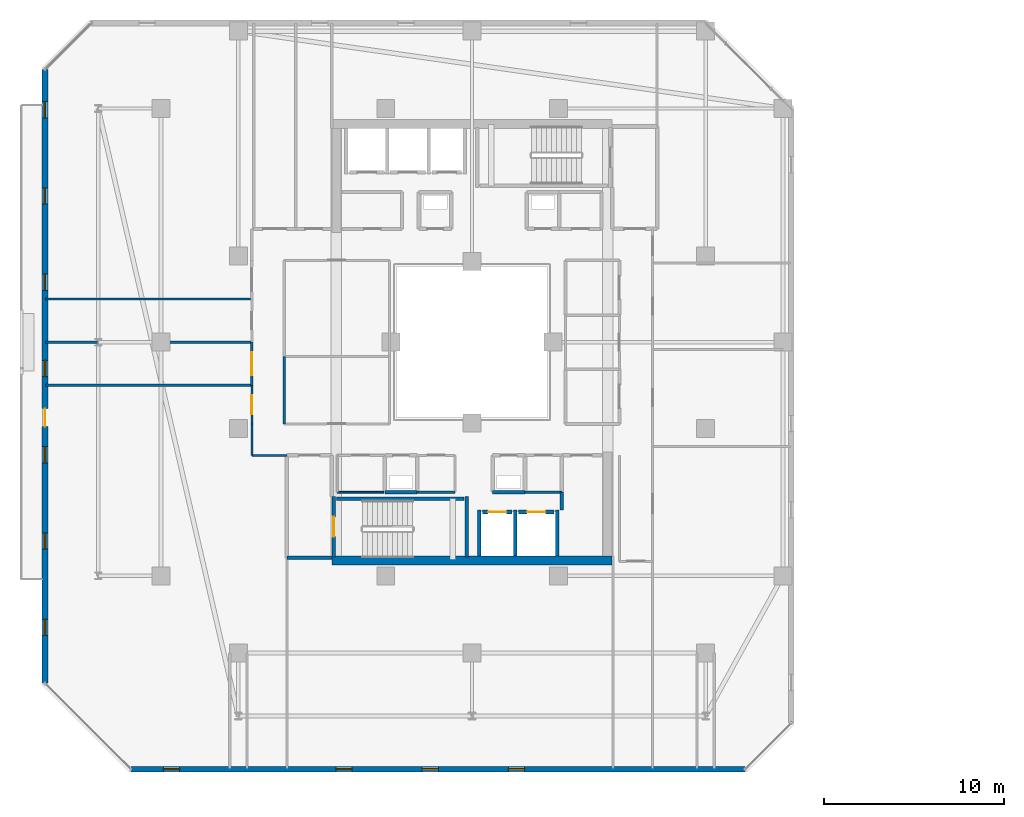
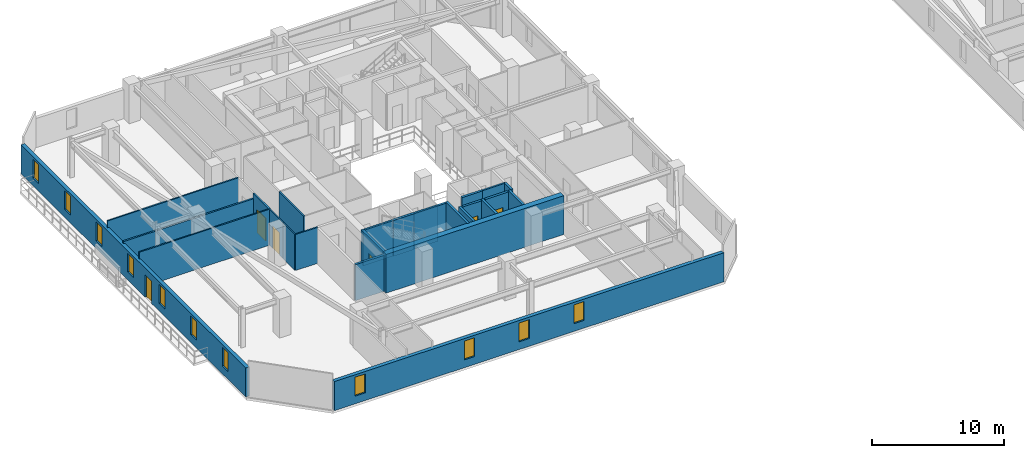
# One storey, part 18 of 32: 26 walls, 11 windows, 6 doors, 17 openings.
"""IFC4 building model written with IfcOpenShell, lengths in metres."""

from ifc_helpers import new_model, si_unit, direction, frame, frame_2d, origin, place, context, subcontext, project, spatial, rectangle, extrude, material, layer, layer_set, type_object, element, fill, save


model = new_model("IFC4")

# Units and contexts
model_context = context("Model", 3, precision=1e-05, world=origin(), true_north=direction((0.0, 1.0)))
body_context = subcontext(model_context, "Body", "Model", "MODEL_VIEW")
ifc_project = project(units=[si_unit("LENGTHUNIT", "METRE"), si_unit("AREAUNIT", "SQUARE_METRE"), si_unit("VOLUMEUNIT", "CUBIC_METRE"), si_unit("PLANEANGLEUNIT", "RADIAN"), si_unit("MASSUNIT", "GRAM", prefix="KILO")], contexts=[model_context])

# Site, building, storey
site_placement = place(None, origin())
site = spatial("IfcSite", under=ifc_project, at=site_placement, CompositionType="ELEMENT")
building_placement = place(site_placement, origin())
building = spatial("IfcBuilding", under=site, at=building_placement, Name="Thornwick Lancets Civic Towers", CompositionType="ELEMENT")
storey_placement = place(building_placement, frame((0.0, 0.0, 247.5)))
storey = spatial("IfcBuildingStorey", under=building, at=storey_placement, Name="L66", CompositionType="ELEMENT", Elevation=247.5)

# Wall, opening, door
ifc_material_1 = material(Name="Concrete blockwork C40/50", Category="masonry")
ifc_layer_1 = layer(ifc_material_1, 0.199951171875, Name="Concrete blockwork C40/50")
ifc_layer_set_1 = layer_set([ifc_layer_1], Name="Concrete blockwork C40/50")
wall_type_1 = type_object("IfcWallType", Name="WALL_COMP_200", PredefinedType="STANDARD", material=ifc_layer_set_1)
wall_1_placement = place(storey_placement, frame((26.080078125, 17.550048828125, 0.0), z_axis=(0.0, 0.0, 1.0), x_axis=(1.0, 0.0, 0.0)))
wall_1 = element("IfcWall", 1, at=wall_1_placement, inside=storey, type_object=wall_type_1, Name="L66 Hoistway Front Wall FL-A1", PredefinedType="STANDARD", context=body_context, shape_type="SweptSolid", body=[
    extrude(rectangle(XDim=1.639892578125, YDim=0.199951171875, at=frame_2d((0.81982421875, 0.0))), origin(), (0.0, 0.0, 1.0), 3.340087890625),
])
opening_1_placement = place(wall_1_placement, frame((0.31005859375, 0.0, 0.0)))
opening_1 = element("IfcOpeningElement", 2, at=opening_1_placement, cuts=wall_1, Name="Opening LD-FL-A1", PredefinedType="OPENING", context=body_context, shape_type="SweptSolid", body=[
    extrude(rectangle(XDim=1.02001953125, YDim=2.06005859375, at=frame_2d((0.510009765625, 1.030029296875))), frame((0.0, 0.10986328125, 0.0), z_axis=(0.0, -1.0, 0.0), x_axis=(1.0, 0.0, 0.0)), (0.0, 0.0, 1.0), 0.219970703125),
])
ifc_material_2 = material(Name="Brushed bronze stainless steel", Category="steel")
door_type_1 = type_object("IfcDoorType", Name="DOOR_LIFT_SLIDE", OperationType="SLIDING_TO_LEFT", PredefinedType="DOOR", material=ifc_material_2)
door_1_placement = place(opening_1_placement, origin())
door_1 = element("IfcDoor", 3, at=door_1_placement, inside=storey, type_object=door_type_1, Name="L66 Sliding Lift Landing Door LD-FL-A1", OperationType="SLIDING_TO_LEFT", OverallHeight=2.06005859375, OverallWidth=1.02001953125, PredefinedType="DOOR", context=body_context, shape_type="SweptSolid", body=[
    extrude(rectangle(XDim=1.02001953125, YDim=2.06005859375, at=frame_2d((0.510009765625, 1.030029296875))), frame((0.0, 0.02490234375, 0.0), z_axis=(0.0, -1.0, 0.0), x_axis=(1.0, 0.0, 0.0)), (0.0, 0.0, 1.0), 0.050048828125),
])
fill(opening_1, door_1)

wall_2_placement = place(storey_placement, frame((28.080078125, 17.550048828125, 0.0), z_axis=(0.0, 0.0, 1.0), x_axis=(1.0, 0.0, 0.0)))
wall_2 = element("IfcWall", 4, at=wall_2_placement, inside=storey, type_object=wall_type_1, Name="L66 Hoistway Front Wall PL-AH1", PredefinedType="STANDARD", context=body_context, shape_type="SweptSolid", body=[
    extrude(rectangle(XDim=1.989990234375, YDim=0.199951171875, at=frame_2d((0.9951171875, 0.0))), origin(), (0.0, 0.0, 1.0), 3.340087890625),
])
opening_2_placement = place(wall_2_placement, frame((0.485107421875, 0.0, 0.0)))
opening_2 = element("IfcOpeningElement", 5, at=opening_2_placement, cuts=wall_2, Name="Opening LD-PL-AH1", PredefinedType="OPENING", context=body_context, shape_type="SweptSolid", body=[
    extrude(rectangle(XDim=1.02001953125, YDim=2.06005859375, at=frame_2d((0.510009765625, 1.030029296875))), frame((0.0, 0.10986328125, 0.0), z_axis=(0.0, -1.0, 0.0), x_axis=(1.0, 0.0, 0.0)), (0.0, 0.0, 1.0), 0.219970703125),
])
door_2_placement = place(opening_2_placement, origin())
door_2 = element("IfcDoor", 6, at=door_2_placement, inside=storey, type_object=door_type_1, Name="L66 Sliding Lift Landing Door LD-PL-AH1", OperationType="SLIDING_TO_LEFT", OverallHeight=2.06005859375, OverallWidth=1.02001953125, PredefinedType="DOOR", context=body_context, shape_type="SweptSolid", body=[
    extrude(rectangle(XDim=1.02001953125, YDim=2.06005859375, at=frame_2d((0.510009765625, 1.030029296875))), frame((0.0, 0.02490234375, 0.0), z_axis=(0.0, -1.0, 0.0), x_axis=(1.0, 0.0, 0.0)), (0.0, 0.0, 1.0), 0.050048828125),
])
fill(opening_2, door_2)

# Walls
for number, where, z_axis, x_axis, name in (
    (7, (27.89990234375, 15.112060546875, 0.0), (0.0, 0.0, 1.0), (0.0, 1.0, 0.0), "L66 Hoistway Shaft Wall FL-A1 E"),
    (8, (25.89990234375, 15.112060546875, 0.0), (0.0, 0.0, 1.0), (0.0, 1.0, 0.0), "L66 Hoistway Shaft Wall FL-A1 W"),
    (9, (30.25, 15.112060546875, 0.0), (0.0, 0.0, 1.0), (0.0, 1.0, 0.0), "L66 Hoistway Shaft Wall PL-AH1 E"),
):
    element("IfcWall", number, at=place(storey_placement, frame(where, z_axis=z_axis, x_axis=x_axis)), inside=storey, type_object=wall_type_1, Name=name, PredefinedType="STANDARD", context=body_context, shape_type="SweptSolid", body=[
        extrude(rectangle(XDim=2.535888671875, YDim=0.199951171875, at=frame_2d((1.26806640625, 0.0))), origin(), (0.0, 0.0, 1.0), 3.340087890625),
    ])
wall_3_placement = place(storey_placement, frame((15.199951171875, 15.0, 0.0), z_axis=(0.0, 0.0, 1.0), x_axis=(1.0, 0.0, 0.0)))
element("IfcWall", 10, at=wall_3_placement, inside=storey, type_object=wall_type_1, Name="L66 Partition L66-A-FFLOB1 E1", PredefinedType="STANDARD", context=body_context, shape_type="SweptSolid", body=[
    extrude(rectangle(XDim=2.5, YDim=0.199951171875, at=frame_2d((1.25, 0.0))), origin(), (0.0, 0.0, 1.0), 3.340087890625),
])
for number, where, z_axis, x_axis, name in (
    (11, (26.64990234375, 18.64990234375, 0.0), (0.0, 0.0, 1.0), (1.0, 0.0, 0.0), "L66 Partition L66-A-DUCT1 E1"),
    (12, (20.64990234375, 18.64990234375, 0.0), (0.0, 0.0, 1.0), (1.0, 0.0, 0.0), "L66 Partition L66-A-RISER1 E1"),
):
    element("IfcWall", number, at=place(storey_placement, frame(where, z_axis=z_axis, x_axis=x_axis)), inside=storey, type_object=wall_type_1, Name=name, PredefinedType="STANDARD", context=body_context, shape_type="SweptSolid", body=[
        extrude(rectangle(XDim=1.800048828125, YDim=0.199951171875, at=frame_2d((0.89990234375, 0.0))), origin(), (0.0, 0.0, 1.0), 3.340087890625),
    ])
wall_4_placement = place(storey_placement, frame((30.5, 17.64794921875, 0.0), z_axis=(0.0, 0.0, 1.0), x_axis=(0.0, 1.0, 0.0)))
element("IfcWall", 13, at=wall_4_placement, inside=storey, type_object=wall_type_1, Name="L66 Partition L66-A-STR2 E3", PredefinedType="STANDARD", context=body_context, shape_type="SweptSolid", body=[
    extrude(rectangle(XDim=1.001953125, YDim=0.199951171875, at=frame_2d((0.5009765625, 0.0))), origin(), (0.0, 0.0, 1.0), 3.340087890625),
])
ifc_material_3 = material(Name="Concrete C50/60", Category="concrete")
ifc_layer_2 = layer(ifc_material_3, 0.5, Name="Concrete C50/60")
ifc_layer_set_2 = layer_set([ifc_layer_2], Name="Concrete C50/60")
wall_type_2 = type_object("IfcWallType", Name="WALL_CORE_500", PredefinedType="SHEAR", material=ifc_layer_set_2)
wall_5_placement = place(storey_placement, frame((17.699951171875, 14.85009765625, 0.0), z_axis=(0.0, 0.0, 1.0), x_axis=(1.0, 0.0, 0.0)))
element("IfcWall", 14, at=wall_5_placement, inside=storey, type_object=wall_type_2, Name="L66 Split Core A1 Shear Wall S", PredefinedType="SHEAR", context=body_context, shape_type="SweptSolid", body=[
    extrude(rectangle(XDim=15.60009765625, YDim=0.5, at=frame_2d((7.800048828125, 0.0))), origin(), (0.0, 0.0, 1.0), 3.60009765625),
])

# Wall, openings, windows
ifc_material_4 = material(Name="Insulated buff terracotta rainscreen on concrete C40/50", Category="masonry")
ifc_layer_3 = layer(ifc_material_4, 0.320068359375, Name="Insulated buff terracotta rainscreen on concrete C40/50")
ifc_layer_set_3 = layer_set([ifc_layer_3], Name="Insulated buff terracotta rainscreen on concrete C40/50")
wall_type_3 = type_object("IfcWallType", Name="WALL_EXT_TERRA_320", PredefinedType="STANDARD", material=ifc_layer_set_3)
wall_6_placement = place(storey_placement, frame((6.52490234375, 3.24267578125, 0.0), z_axis=(0.0, 0.0, 1.0), x_axis=(0.99999997701, -0.000214431216, 0.0)))
wall_6 = element("IfcWall", 15, at=wall_6_placement, inside=storey, type_object=wall_type_3, Name="L66 Tower A Terracotta Facade Wall E0", PredefinedType="STANDARD", context=body_context, shape_type="SweptSolid", body=[
    extrude(rectangle(XDim=34.156494140625, YDim=0.320068359375, at=frame_2d((17.078125, 0.0))), origin(), (0.0, 0.0, 1.0), 2.699951171875),
])
opening_3_placement = place(wall_6_placement, frame((1.800048828125, 0.0, 0.719970703125)))
opening_3 = element("IfcOpeningElement", 16, at=opening_3_placement, cuts=wall_6, Name="Opening WL-01", PredefinedType="OPENING", context=body_context, shape_type="SweptSolid", body=[
    extrude(rectangle(XDim=0.89990234375, YDim=1.75, at=frame_2d((0.449951171875, 0.875))), frame((0.0, 0.169921875, 0.0), z_axis=(0.0, -1.0, 0.0), x_axis=(1.0, 0.0, 0.0)), (0.0, 0.0, 1.0), 0.340087890625),
])
opening_4_placement = place(wall_6_placement, frame((11.39990234375, 0.0, 0.719970703125)))
opening_4 = element("IfcOpeningElement", 17, at=opening_4_placement, cuts=wall_6, Name="Opening WL-01", PredefinedType="OPENING", context=body_context, shape_type="SweptSolid", body=[
    extrude(rectangle(XDim=0.89990234375, YDim=1.75, at=frame_2d((0.449951171875, 0.875))), frame((0.0, 0.169921875, 0.0), z_axis=(0.0, -1.0, 0.0), x_axis=(1.0, 0.0, 0.0)), (0.0, 0.0, 1.0), 0.340087890625),
])
opening_5_placement = place(wall_6_placement, frame((16.199951171875, 0.0, 0.719970703125)))
opening_5 = element("IfcOpeningElement", 18, at=opening_5_placement, cuts=wall_6, Name="Opening WL-01", PredefinedType="OPENING", context=body_context, shape_type="SweptSolid", body=[
    extrude(rectangle(XDim=0.89990234375, YDim=1.75, at=frame_2d((0.449951171875, 0.875))), frame((0.0, 0.169921875, 0.0), z_axis=(0.0, -1.0, 0.0), x_axis=(1.0, 0.0, 0.0)), (0.0, 0.0, 1.0), 0.340087890625),
])
opening_6_placement = place(wall_6_placement, frame((21.0, 0.0, 0.719970703125)))
opening_6 = element("IfcOpeningElement", 19, at=opening_6_placement, cuts=wall_6, Name="Opening WL-01", PredefinedType="OPENING", context=body_context, shape_type="SweptSolid", body=[
    extrude(rectangle(XDim=0.89990234375, YDim=1.75, at=frame_2d((0.449951171875, 0.875))), frame((0.0, 0.169921875, 0.0), z_axis=(0.0, -1.0, 0.0), x_axis=(1.0, 0.0, 0.0)), (0.0, 0.0, 1.0), 0.340087890625),
])
ifc_material_5 = material(Name="Clear low-e double glazing in bronze frame", Category="glass")
window_type = type_object("IfcWindowType", Name="WIN_LANCET_900", PartitioningType="SINGLE_PANEL", PredefinedType="WINDOW", material=ifc_material_5)
window_1_placement = place(opening_3_placement, origin())
window_1 = element("IfcWindow", 20, at=window_1_placement, inside=storey, type_object=window_type, Name="L66 Tower A Staggered Lancet Window E0-1", OverallHeight=1.75, OverallWidth=0.89990234375, PartitioningType="SINGLE_PANEL", PredefinedType="WINDOW", context=body_context, shape_type="SweptSolid", body=[
    extrude(rectangle(XDim=0.89990234375, YDim=1.75, at=frame_2d((0.449951171875, 0.875))), frame((0.0, 0.030029296875, 0.0), z_axis=(0.0, -1.0, 0.0), x_axis=(1.0, 0.0, 0.0)), (0.0, 0.0, 1.0), 0.06005859375),
])
fill(opening_3, window_1)
window_2_placement = place(opening_4_placement, origin())
window_2 = element("IfcWindow", 21, at=window_2_placement, inside=storey, type_object=window_type, Name="L66 Tower A Staggered Lancet Window E0-2", OverallHeight=1.75, OverallWidth=0.89990234375, PartitioningType="SINGLE_PANEL", PredefinedType="WINDOW", context=body_context, shape_type="SweptSolid", body=[
    extrude(rectangle(XDim=0.89990234375, YDim=1.75, at=frame_2d((0.449951171875, 0.875))), frame((0.0, 0.030029296875, 0.0), z_axis=(0.0, -1.0, 0.0), x_axis=(1.0, 0.0, 0.0)), (0.0, 0.0, 1.0), 0.06005859375),
])
fill(opening_4, window_2)
window_3_placement = place(opening_5_placement, origin())
window_3 = element("IfcWindow", 22, at=window_3_placement, inside=storey, type_object=window_type, Name="L66 Tower A Staggered Lancet Window E0-3", OverallHeight=1.75, OverallWidth=0.89990234375, PartitioningType="SINGLE_PANEL", PredefinedType="WINDOW", context=body_context, shape_type="SweptSolid", body=[
    extrude(rectangle(XDim=0.89990234375, YDim=1.75, at=frame_2d((0.449951171875, 0.875))), frame((0.0, 0.030029296875, 0.0), z_axis=(0.0, -1.0, 0.0), x_axis=(1.0, 0.0, 0.0)), (0.0, 0.0, 1.0), 0.06005859375),
])
fill(opening_5, window_3)
window_4_placement = place(opening_6_placement, origin())
window_4 = element("IfcWindow", 23, at=window_4_placement, inside=storey, type_object=window_type, Name="L66 Tower A Staggered Lancet Window E0-4", OverallHeight=1.75, OverallWidth=0.89990234375, PartitioningType="SINGLE_PANEL", PredefinedType="WINDOW", context=body_context, shape_type="SweptSolid", body=[
    extrude(rectangle(XDim=0.89990234375, YDim=1.75, at=frame_2d((0.449951171875, 0.875))), frame((0.0, 0.030029296875, 0.0), z_axis=(0.0, -1.0, 0.0), x_axis=(1.0, 0.0, 0.0)), (0.0, 0.0, 1.0), 0.06005859375),
])
fill(opening_6, window_4)

# Wall, openings, door, windows
wall_7_placement = place(storey_placement, frame((1.7353515625, 42.181396484375, 0.0), z_axis=(0.0, 0.0, 1.0), x_axis=(0.000214431216, -0.99999997701, 0.0)))
wall_7 = element("IfcWall", 24, at=wall_7_placement, inside=storey, type_object=wall_type_3, Name="L66 Tower A Terracotta Facade Wall E6", PredefinedType="STANDARD", context=body_context, shape_type="SweptSolid", body=[
    extrude(rectangle(XDim=34.156494140625, YDim=0.320068359375, at=frame_2d((17.078125, 0.0))), origin(), (0.0, 0.0, 1.0), 2.699951171875),
])
opening_7_placement = place(wall_7_placement, frame((18.87841796875, 0.0, 0.0)))
opening_7 = element("IfcOpeningElement", 25, at=opening_7_placement, cuts=wall_7, Name="Opening D-BL-L66-AW", PredefinedType="OPENING", context=body_context, shape_type="SweptSolid", body=[
    extrude(rectangle(XDim=1.0, YDim=2.080078125, at=frame_2d((0.5, 1.0400390625))), frame((0.0, 0.169921875, 0.0), z_axis=(0.0, -1.0, 0.0), x_axis=(1.0, 0.0, 0.0)), (0.0, 0.0, 1.0), 0.340087890625),
])
opening_8_placement = place(wall_7_placement, frame((1.800048828125, 0.0, 0.719970703125)))
opening_8 = element("IfcOpeningElement", 26, at=opening_8_placement, cuts=wall_7, Name="Opening WL-01", PredefinedType="OPENING", context=body_context, shape_type="SweptSolid", body=[
    extrude(rectangle(XDim=0.89990234375, YDim=1.75, at=frame_2d((0.449951171875, 0.875))), frame((0.0, 0.169921875, 0.0), z_axis=(0.0, -1.0, 0.0), x_axis=(1.0, 0.0, 0.0)), (0.0, 0.0, 1.0), 0.340087890625),
])
opening_9_placement = place(wall_7_placement, frame((6.60009765625, 0.0, 0.719970703125)))
opening_9 = element("IfcOpeningElement", 27, at=opening_9_placement, cuts=wall_7, Name="Opening WL-01", PredefinedType="OPENING", context=body_context, shape_type="SweptSolid", body=[
    extrude(rectangle(XDim=0.89990234375, YDim=1.75, at=frame_2d((0.449951171875, 0.875))), frame((0.0, 0.169921875, 0.0), z_axis=(0.0, -1.0, 0.0), x_axis=(1.0, 0.0, 0.0)), (0.0, 0.0, 1.0), 0.340087890625),
])
opening_10_placement = place(wall_7_placement, frame((11.39990234375, 0.0, 0.719970703125)))
opening_10 = element("IfcOpeningElement", 28, at=opening_10_placement, cuts=wall_7, Name="Opening WL-01", PredefinedType="OPENING", context=body_context, shape_type="SweptSolid", body=[
    extrude(rectangle(XDim=0.89990234375, YDim=1.75, at=frame_2d((0.449951171875, 0.875))), frame((0.0, 0.169921875, 0.0), z_axis=(0.0, -1.0, 0.0), x_axis=(1.0, 0.0, 0.0)), (0.0, 0.0, 1.0), 0.340087890625),
])
opening_11_placement = place(wall_7_placement, frame((16.199951171875, 0.0, 0.719970703125)))
opening_11 = element("IfcOpeningElement", 29, at=opening_11_placement, cuts=wall_7, Name="Opening WL-01", PredefinedType="OPENING", context=body_context, shape_type="SweptSolid", body=[
    extrude(rectangle(XDim=0.89990234375, YDim=1.75, at=frame_2d((0.449951171875, 0.875))), frame((0.0, 0.169921875, 0.0), z_axis=(0.0, -1.0, 0.0), x_axis=(1.0, 0.0, 0.0)), (0.0, 0.0, 1.0), 0.340087890625),
])
opening_12_placement = place(wall_7_placement, frame((21.0, 0.0, 0.719970703125)))
opening_12 = element("IfcOpeningElement", 30, at=opening_12_placement, cuts=wall_7, Name="Opening WL-01", PredefinedType="OPENING", context=body_context, shape_type="SweptSolid", body=[
    extrude(rectangle(XDim=0.89990234375, YDim=1.75, at=frame_2d((0.449951171875, 0.875))), frame((0.0, 0.169921875, 0.0), z_axis=(0.0, -1.0, 0.0), x_axis=(1.0, 0.0, 0.0)), (0.0, 0.0, 1.0), 0.340087890625),
])
opening_13_placement = place(wall_7_placement, frame((25.800048828125, 0.0, 0.719970703125)))
opening_13 = element("IfcOpeningElement", 31, at=opening_13_placement, cuts=wall_7, Name="Opening WL-01", PredefinedType="OPENING", context=body_context, shape_type="SweptSolid", body=[
    extrude(rectangle(XDim=0.89990234375, YDim=1.75, at=frame_2d((0.449951171875, 0.875))), frame((0.0, 0.169921875, 0.0), z_axis=(0.0, -1.0, 0.0), x_axis=(1.0, 0.0, 0.0)), (0.0, 0.0, 1.0), 0.340087890625),
])
opening_14_placement = place(wall_7_placement, frame((30.60009765625, 0.0, 0.719970703125)))
opening_14 = element("IfcOpeningElement", 32, at=opening_14_placement, cuts=wall_7, Name="Opening WL-01", PredefinedType="OPENING", context=body_context, shape_type="SweptSolid", body=[
    extrude(rectangle(XDim=0.89990234375, YDim=1.75, at=frame_2d((0.449951171875, 0.875))), frame((0.0, 0.169921875, 0.0), z_axis=(0.0, -1.0, 0.0), x_axis=(1.0, 0.0, 0.0)), (0.0, 0.0, 1.0), 0.340087890625),
])
ifc_material_6 = material(Name="Thermally broken glazed loggia doorset")
door_type_2 = type_object("IfcDoorType", Name="DOOR_BALC_1000", OperationType="NOTDEFINED", PredefinedType="DOOR", material=ifc_material_6)
door_3_placement = place(opening_7_placement, origin())
door_3 = element("IfcDoor", 33, at=door_3_placement, inside=storey, type_object=door_type_2, Name="L66 Tower A Loggia Balcony Door W", OperationType="SINGLE_SWING_LEFT", OverallHeight=2.080078125, OverallWidth=1.0, PredefinedType="DOOR", context=body_context, shape_type="SweptSolid", body=[
    extrude(rectangle(XDim=1.0, YDim=2.080078125, at=frame_2d((0.5, 1.0400390625))), frame((0.0, 0.02490234375, 0.0), z_axis=(0.0, -1.0, 0.0), x_axis=(1.0, 0.0, 0.0)), (0.0, 0.0, 1.0), 0.050048828125),
])
fill(opening_7, door_3)
window_5_placement = place(opening_8_placement, origin())
window_5 = element("IfcWindow", 34, at=window_5_placement, inside=storey, type_object=window_type, Name="L66 Tower A Staggered Lancet Window E6-1", OverallHeight=1.75, OverallWidth=0.89990234375, PartitioningType="SINGLE_PANEL", PredefinedType="WINDOW", context=body_context, shape_type="SweptSolid", body=[
    extrude(rectangle(XDim=0.89990234375, YDim=1.75, at=frame_2d((0.449951171875, 0.875))), frame((0.0, 0.030029296875, 0.0), z_axis=(0.0, -1.0, 0.0), x_axis=(1.0, 0.0, 0.0)), (0.0, 0.0, 1.0), 0.06005859375),
])
fill(opening_8, window_5)
window_6_placement = place(opening_9_placement, origin())
window_6 = element("IfcWindow", 35, at=window_6_placement, inside=storey, type_object=window_type, Name="L66 Tower A Staggered Lancet Window E6-2", OverallHeight=1.75, OverallWidth=0.89990234375, PartitioningType="SINGLE_PANEL", PredefinedType="WINDOW", context=body_context, shape_type="SweptSolid", body=[
    extrude(rectangle(XDim=0.89990234375, YDim=1.75, at=frame_2d((0.449951171875, 0.875))), frame((0.0, 0.030029296875, 0.0), z_axis=(0.0, -1.0, 0.0), x_axis=(1.0, 0.0, 0.0)), (0.0, 0.0, 1.0), 0.06005859375),
])
fill(opening_9, window_6)
window_7_placement = place(opening_10_placement, origin())
window_7 = element("IfcWindow", 36, at=window_7_placement, inside=storey, type_object=window_type, Name="L66 Tower A Staggered Lancet Window E6-3", OverallHeight=1.75, OverallWidth=0.89990234375, PartitioningType="SINGLE_PANEL", PredefinedType="WINDOW", context=body_context, shape_type="SweptSolid", body=[
    extrude(rectangle(XDim=0.89990234375, YDim=1.75, at=frame_2d((0.449951171875, 0.875))), frame((0.0, 0.030029296875, 0.0), z_axis=(0.0, -1.0, 0.0), x_axis=(1.0, 0.0, 0.0)), (0.0, 0.0, 1.0), 0.06005859375),
])
fill(opening_10, window_7)
window_8_placement = place(opening_11_placement, origin())
window_8 = element("IfcWindow", 37, at=window_8_placement, inside=storey, type_object=window_type, Name="L66 Tower A Staggered Lancet Window E6-4", OverallHeight=1.75, OverallWidth=0.89990234375, PartitioningType="SINGLE_PANEL", PredefinedType="WINDOW", context=body_context, shape_type="SweptSolid", body=[
    extrude(rectangle(XDim=0.89990234375, YDim=1.75, at=frame_2d((0.449951171875, 0.875))), frame((0.0, 0.030029296875, 0.0), z_axis=(0.0, -1.0, 0.0), x_axis=(1.0, 0.0, 0.0)), (0.0, 0.0, 1.0), 0.06005859375),
])
fill(opening_11, window_8)
window_9_placement = place(opening_12_placement, origin())
window_9 = element("IfcWindow", 38, at=window_9_placement, inside=storey, type_object=window_type, Name="L66 Tower A Staggered Lancet Window E6-5", OverallHeight=1.75, OverallWidth=0.89990234375, PartitioningType="SINGLE_PANEL", PredefinedType="WINDOW", context=body_context, shape_type="SweptSolid", body=[
    extrude(rectangle(XDim=0.89990234375, YDim=1.75, at=frame_2d((0.449951171875, 0.875))), frame((0.0, 0.030029296875, 0.0), z_axis=(0.0, -1.0, 0.0), x_axis=(1.0, 0.0, 0.0)), (0.0, 0.0, 1.0), 0.06005859375),
])
fill(opening_12, window_9)
window_10_placement = place(opening_13_placement, origin())
window_10 = element("IfcWindow", 39, at=window_10_placement, inside=storey, type_object=window_type, Name="L66 Tower A Staggered Lancet Window E6-6", OverallHeight=1.75, OverallWidth=0.89990234375, PartitioningType="SINGLE_PANEL", PredefinedType="WINDOW", context=body_context, shape_type="SweptSolid", body=[
    extrude(rectangle(XDim=0.89990234375, YDim=1.75, at=frame_2d((0.449951171875, 0.875))), frame((0.0, 0.030029296875, 0.0), z_axis=(0.0, -1.0, 0.0), x_axis=(1.0, 0.0, 0.0)), (0.0, 0.0, 1.0), 0.06005859375),
])
fill(opening_13, window_10)
window_11_placement = place(opening_14_placement, origin())
window_11 = element("IfcWindow", 40, at=window_11_placement, inside=storey, type_object=window_type, Name="L66 Tower A Staggered Lancet Window E6-7", OverallHeight=1.75, OverallWidth=0.89990234375, PartitioningType="SINGLE_PANEL", PredefinedType="WINDOW", context=body_context, shape_type="SweptSolid", body=[
    extrude(rectangle(XDim=0.89990234375, YDim=1.75, at=frame_2d((0.449951171875, 0.875))), frame((0.0, 0.030029296875, 0.0), z_axis=(0.0, -1.0, 0.0), x_axis=(1.0, 0.0, 0.0)), (0.0, 0.0, 1.0), 0.06005859375),
])
fill(opening_14, window_11)

# Walls
ifc_material_7 = material(Name="Lightweight cellular office partition")
ifc_layer_4 = layer(ifc_material_7, 0.10009765625, Name="Lightweight cellular office partition")
ifc_layer_set_4 = layer_set([ifc_layer_4], Name="Lightweight cellular office partition")
wall_type_4 = type_object("IfcWallType", Name="WALL_PART_100", PredefinedType="PARTITIONING", material=ifc_layer_set_4)
wall_8_placement = place(storey_placement, frame((18.0, 18.64990234375, 0.0), z_axis=(0.0, 0.0, 1.0), x_axis=(1.0, 0.0, 0.0)))
element("IfcWall", 41, at=wall_8_placement, inside=storey, type_object=wall_type_4, Name="L66 Partition L66-A-CLN E1", PredefinedType="PARTITIONING", context=body_context, shape_type="SweptSolid", body=[
    extrude(rectangle(XDim=2.60009765625, YDim=0.10009765625, at=frame_2d((1.300048828125, 0.0))), origin(), (0.0, 0.0, 1.0), 3.340087890625),
])
ifc_material_8 = material(Name="Acoustic gypsum board partition")
ifc_layer_5 = layer(ifc_material_8, 0.1201171875, Name="Acoustic gypsum board partition")
ifc_layer_set_5 = layer_set([ifc_layer_5], Name="Acoustic gypsum board partition")
wall_type_5 = type_object("IfcWallType", Name="WALL_PART_120", PredefinedType="PARTITIONING", material=ifc_layer_set_5)
wall_9_placement = place(storey_placement, frame((24.550048828125, 18.64990234375, 0.0), z_axis=(0.0, 0.0, 1.0), x_axis=(-1.0, 0.0, 0.0)))
element("IfcWall", 42, at=wall_9_placement, inside=storey, type_object=wall_type_5, Name="L66 Partition L66-A-ITR E2", PredefinedType="PARTITIONING", context=body_context, shape_type="SweptSolid", body=[
    extrude(rectangle(XDim=2.10009765625, YDim=0.1201171875, at=frame_2d((1.050048828125, 0.0))), origin(), (0.0, 0.0, 1.0), 3.340087890625),
])
wall_10_placement = place(storey_placement, frame((13.25, 22.449951171875, 0.0), z_axis=(0.0, 0.0, 1.0), x_axis=(0.0, -1.0, 0.0)))
element("IfcWall", 43, at=wall_10_placement, inside=storey, type_object=wall_type_5, Name="L66 Partition L66-A-W1 E1", PredefinedType="PARTITIONING", context=body_context, shape_type="SweptSolid", body=[
    extrude(rectangle(XDim=1.75, YDim=0.1201171875, at=frame_2d((0.875, 0.0))), origin(), (0.0, 0.0, 1.0), 3.340087890625),
])
wall_11_placement = place(storey_placement, frame((13.25, 20.699951171875, 0.0), z_axis=(0.0, 0.0, 1.0), x_axis=(1.0, 0.0, 0.0)))
element("IfcWall", 44, at=wall_11_placement, inside=storey, type_object=wall_type_5, Name="L66 Partition L66-A-W1 E2", PredefinedType="PARTITIONING", context=body_context, shape_type="SweptSolid", body=[
    extrude(rectangle(XDim=1.949951171875, YDim=0.1201171875, at=frame_2d((0.97509765625, 0.0))), origin(), (0.0, 0.0, 1.0), 3.340087890625),
])
wall_12_placement = place(storey_placement, frame((1.780029296875, 24.60009765625, 0.0), z_axis=(0.0, 0.0, 1.0), x_axis=(1.0, 0.0, 0.0)))
element("IfcWall", 45, at=wall_12_placement, inside=storey, type_object=wall_type_5, Name="L66 Partition L66-A-W1 E12", PredefinedType="PARTITIONING", context=body_context, shape_type="SweptSolid", body=[
    extrude(rectangle(XDim=11.469970703125, YDim=0.1201171875, at=frame_2d((5.73486328125, 0.0))), origin(), (0.0, 0.0, 1.0), 3.340087890625),
])

# Wall, opening, door
wall_13_placement = place(storey_placement, frame((13.25, 24.60009765625, 0.0), z_axis=(0.0, 0.0, 1.0), x_axis=(0.0, -1.0, 0.0)))
wall_13 = element("IfcWall", 46, at=wall_13_placement, inside=storey, type_object=wall_type_5, Name="L66 Partition L66-A-W1 E13", PredefinedType="PARTITIONING", context=body_context, shape_type="SweptSolid", body=[
    extrude(rectangle(XDim=2.150146484375, YDim=0.1201171875, at=frame_2d((1.0751953125, 0.0))), origin(), (0.0, 0.0, 1.0), 3.340087890625),
])
opening_15_placement = place(wall_13_placement, frame((0.550048828125, 0.0, 0.0)))
opening_15 = element("IfcOpeningElement", 47, at=opening_15_placement, cuts=wall_13, Name="Opening D-L66-3000", PredefinedType="OPENING", context=body_context, shape_type="SweptSolid", body=[
    extrude(rectangle(XDim=1.050048828125, YDim=2.10009765625, at=frame_2d((0.52490234375, 1.050048828125))), frame((0.0, 0.070068359375, 0.0), z_axis=(0.0, -1.0, 0.0), x_axis=(1.0, 0.0, 0.0)), (0.0, 0.0, 1.0), 0.14013671875),
])
ifc_material_9 = material(Name="Glazed European oak executive doorset")
door_type_3 = type_object("IfcDoorType", Name="DOOR_OFFICE_1050", OperationType="NOTDEFINED", PredefinedType="DOOR", material=ifc_material_9)
door_4_placement = place(opening_15_placement, origin())
door_4 = element("IfcDoor", 48, at=door_4_placement, inside=storey, type_object=door_type_3, Name="L66 Tower A Ministry Directorate Office W1 Door", OperationType="SINGLE_SWING_LEFT", OverallHeight=2.10009765625, OverallWidth=1.050048828125, PredefinedType="DOOR", context=body_context, shape_type="SweptSolid", body=[
    extrude(rectangle(XDim=1.050048828125, YDim=2.10009765625, at=frame_2d((0.52490234375, 1.050048828125))), frame((0.0, 0.02490234375, 0.0), z_axis=(0.0, -1.0, 0.0), x_axis=(1.0, 0.0, 0.0)), (0.0, 0.0, 1.0), 0.050048828125),
])
fill(opening_15, door_4)

# Walls
wall_14_placement = place(storey_placement, frame((1.780029296875, 29.39990234375, 0.0), z_axis=(0.0, 0.0, 1.0), x_axis=(1.0, 0.0, 0.0)))
element("IfcWall", 49, at=wall_14_placement, inside=storey, type_object=wall_type_5, Name="L66 Partition L66-A-W2B E3", PredefinedType="PARTITIONING", context=body_context, shape_type="SweptSolid", body=[
    extrude(rectangle(XDim=11.469970703125, YDim=0.1201171875, at=frame_2d((5.73486328125, 0.0))), origin(), (0.0, 0.0, 1.0), 3.340087890625),
])
wall_15_placement = place(storey_placement, frame((15.050048828125, 22.449951171875, 0.0), z_axis=(0.0, 0.0, 1.0), x_axis=(0.0, 1.0, 0.0)))
element("IfcWall", 50, at=wall_15_placement, inside=storey, type_object=wall_type_5, Name="L66 Partition L66-A-W3 E1", PredefinedType="PARTITIONING", context=body_context, shape_type="SweptSolid", body=[
    extrude(rectangle(XDim=3.75, YDim=0.1201171875, at=frame_2d((1.875, 0.0))), origin(), (0.0, 0.0, 1.0), 3.340087890625),
])
ifc_material_10 = material(Name="Twin-stud acoustic gypsum board")
ifc_layer_6 = layer(ifc_material_10, 0.14990234375, Name="Twin-stud acoustic gypsum board")
ifc_layer_set_6 = layer_set([ifc_layer_6], Name="Twin-stud acoustic gypsum board")
wall_type_6 = type_object("IfcWallType", Name="WALL_PART_150", PredefinedType="PARTITIONING", material=ifc_layer_set_6)
wall_16_placement = place(storey_placement, frame((30.5, 18.64990234375, 0.0), z_axis=(0.0, 0.0, 1.0), x_axis=(-1.0, 0.0, 0.0)))
element("IfcWall", 51, at=wall_16_placement, inside=storey, type_object=wall_type_6, Name="L66 Partition L66-A-AWC E2", PredefinedType="PARTITIONING", context=body_context, shape_type="SweptSolid", body=[
    extrude(rectangle(XDim=2.050048828125, YDim=0.14990234375, at=frame_2d((1.02490234375, 0.0))), origin(), (0.0, 0.0, 1.0), 3.340087890625),
])
wall_17_placement = place(storey_placement, frame((1.780029296875, 27.0, 0.0), z_axis=(0.0, 0.0, 1.0), x_axis=(1.0, 0.0, 0.0)))
element("IfcWall", 52, at=wall_17_placement, inside=storey, type_object=wall_type_6, Name="L66 Partition L66-A-W2 E3", PredefinedType="PARTITIONING", context=body_context, shape_type="SweptSolid", body=[
    extrude(rectangle(XDim=11.469970703125, YDim=0.14990234375, at=frame_2d((5.73486328125, 0.0))), origin(), (0.0, 0.0, 1.0), 2.881591796875),
])

# Wall, opening, door
wall_18_placement = place(storey_placement, frame((13.25, 27.0, 0.0), z_axis=(0.0, 0.0, 1.0), x_axis=(0.0, -1.0, 0.0)))
wall_18 = element("IfcWall", 53, at=wall_18_placement, inside=storey, type_object=wall_type_6, Name="L66 Partition L66-A-W2 E4", PredefinedType="PARTITIONING", context=body_context, shape_type="SweptSolid", body=[
    extrude(rectangle(XDim=2.39990234375, YDim=0.14990234375, at=frame_2d((1.199951171875, 0.0))), origin(), (0.0, 0.0, 1.0), 3.340087890625),
])
opening_16_placement = place(wall_18_placement, frame((0.550048828125, 0.0, 0.0)))
opening_16 = element("IfcOpeningElement", 54, at=opening_16_placement, cuts=wall_18, Name="Opening D-L66-3001", PredefinedType="OPENING", context=body_context, shape_type="SweptSolid", body=[
    extrude(rectangle(XDim=1.300048828125, YDim=2.1201171875, at=frame_2d((0.64990234375, 1.06005859375))), frame((0.0, 0.0849609375, 0.0), z_axis=(0.0, -1.0, 0.0), x_axis=(1.0, 0.0, 0.0)), (0.0, 0.0, 1.0), 0.169921875),
])
ifc_material_11 = material(Name="Acoustic oak leaf-and-a-half doorset")
door_type_4 = type_object("IfcDoorType", Name="DOOR_MEET_1300", OperationType="DOUBLE_DOOR_SINGLE_SWING", PredefinedType="DOOR", material=ifc_material_11)
door_5_placement = place(opening_16_placement, origin())
door_5 = element("IfcDoor", 55, at=door_5_placement, inside=storey, type_object=door_type_4, Name="L66 Tower A Policy Briefing Room W2 Door", OperationType="DOUBLE_DOOR_SINGLE_SWING", OverallHeight=2.1201171875, OverallWidth=1.300048828125, PredefinedType="DOOR", context=body_context, shape_type="SweptSolid", body=[
    extrude(rectangle(XDim=1.300048828125, YDim=2.1201171875, at=frame_2d((0.64990234375, 1.06005859375))), frame((0.0, 0.02490234375, 0.0), z_axis=(0.0, -1.0, 0.0), x_axis=(1.0, 0.0, 0.0)), (0.0, 0.0, 1.0), 0.050048828125),
])
fill(opening_16, door_5)

ifc_material_12 = material(Name="Concrete C40/50", Category="concrete")
ifc_layer_7 = layer(ifc_material_12, 0.199951171875, Name="Concrete C40/50")
ifc_layer_set_7 = layer_set([ifc_layer_7], Name="Concrete C40/50")
wall_type_7 = type_object("IfcWallType", Name="WALL_SHAFT_200", PredefinedType="SHEAR", material=ifc_layer_set_7)
wall_19_placement = place(storey_placement, frame((17.800048828125, 15.050048828125, 0.0), z_axis=(0.0, 0.0, 1.0), x_axis=(0.0, 1.0, 0.0)))
wall_19 = element("IfcWall", 56, at=wall_19_placement, inside=storey, type_object=wall_type_7, Name="L66 ST-A1 Fire Stair Core Wall NEAR", PredefinedType="SHEAR", context=body_context, shape_type="SweptSolid", body=[
    extrude(rectangle(XDim=3.349853515625, YDim=0.199951171875, at=frame_2d((1.6748046875, 0.0))), origin(), (0.0, 0.0, 1.0), 3.60009765625),
])
opening_17_placement = place(wall_19_placement, frame((1.125, 0.0, 0.0)))
opening_17 = element("IfcOpeningElement", 57, at=opening_17_placement, cuts=wall_19, Name="Opening D-ST-A1-L66", PredefinedType="OPENING", context=body_context, shape_type="SweptSolid", body=[
    extrude(rectangle(XDim=1.10009765625, YDim=2.10009765625, at=frame_2d((0.550048828125, 1.050048828125))), frame((0.0, 0.10986328125, 0.0), z_axis=(0.0, -1.0, 0.0), x_axis=(1.0, 0.0, 0.0)), (0.0, 0.0, 1.0), 0.219970703125),
])
ifc_material_13 = material(Name="Fire-resisting steel and hardwood", Category="steel")
door_type_5 = type_object("IfcDoorType", Name="DOOR_STAIR_FD60", OperationType="NOTDEFINED", PredefinedType="DOOR", material=ifc_material_13)
door_6_placement = place(opening_17_placement, origin())
door_6 = element("IfcDoor", 58, at=door_6_placement, inside=storey, type_object=door_type_5, Name="L66 ST-A1 Exit Stair Door", OperationType="SINGLE_SWING_RIGHT", OverallHeight=2.10009765625, OverallWidth=1.10009765625, PredefinedType="DOOR", context=body_context, shape_type="SweptSolid", body=[
    extrude(rectangle(XDim=1.10009765625, YDim=2.10009765625, at=frame_2d((0.550048828125, 1.050048828125))), frame((0.0, 0.02490234375, 0.0), z_axis=(0.0, -1.0, 0.0), x_axis=(1.0, 0.0, 0.0)), (0.0, 0.0, 1.0), 0.050048828125),
])
fill(opening_17, door_6)

# Walls
wall_20_placement = place(storey_placement, frame((25.199951171875, 18.39990234375, 0.0), z_axis=(0.0, 0.0, 1.0), x_axis=(0.0, -1.0, 0.0)))
element("IfcWall", 59, at=wall_20_placement, inside=storey, type_object=wall_type_7, Name="L66 ST-A1 Fire Stair Core Wall FAR", PredefinedType="SHEAR", context=body_context, shape_type="SweptSolid", body=[
    extrude(rectangle(XDim=3.349853515625, YDim=0.199951171875, at=frame_2d((1.6748046875, 0.0))), origin(), (0.0, 0.0, 1.0), 3.60009765625),
])
wall_21_placement = place(storey_placement, frame((25.050048828125, 18.297119140625, 0.0), z_axis=(0.0, 0.0, 1.0), x_axis=(-1.0, 0.0, 0.0)))
element("IfcWall", 60, at=wall_21_placement, inside=storey, type_object=wall_type_7, Name="L66 ST-A1 Fire Stair Core Wall RIGHT", PredefinedType="SHEAR", context=body_context, shape_type="SweptSolid", body=[
    extrude(rectangle(XDim=7.10009765625, YDim=0.199951171875, at=frame_2d((3.550048828125, 0.0))), origin(), (0.0, 0.0, 1.0), 3.60009765625),
])

save(model, "model.ifc")
